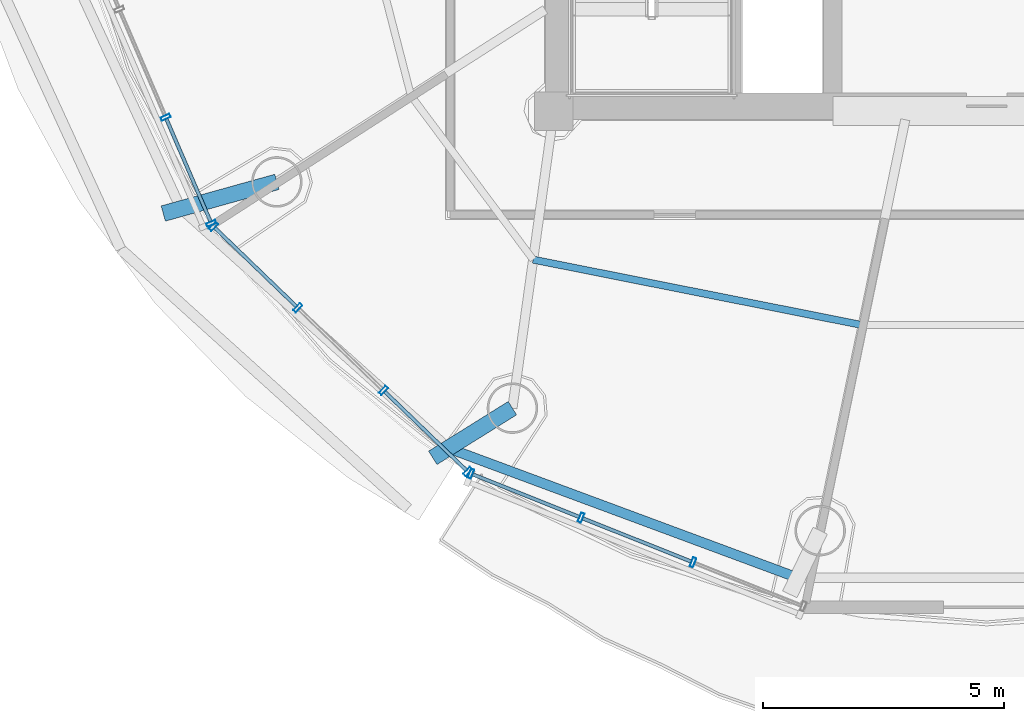
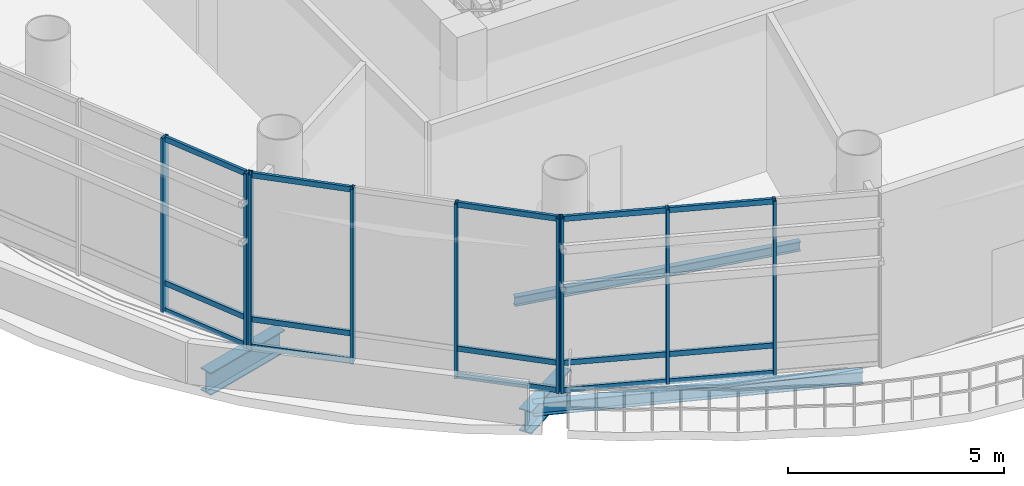
# One storey, part 2 of 22: 24 members, 4 beams, 3 elements without a shape of their own.
"""IFC4 building model written with IfcOpenShell, lengths in metres."""

from ifc_helpers import new_model, si_unit, direction, frame, origin, origin_2d, place, context, subcontext, project, spatial, hollow_rectangle, i_section, extrude, source, transform, mapped, material, material_profile, profile_set, type_object, element, aggregate, save


model = new_model("IFC4")

# Units and contexts
model_context = context("Model", 3, precision=1e-05, world=origin(), true_north=direction((-0.2419218956, 0.970295726276)))
body_context = subcontext(model_context, "Body", "Model", "MODEL_VIEW")
ifc_project = project(units=[si_unit("LENGTHUNIT", "METRE"), si_unit("AREAUNIT", "SQUARE_METRE"), si_unit("VOLUMEUNIT", "CUBIC_METRE"), si_unit("PLANEANGLEUNIT", "RADIAN"), si_unit("MASSUNIT", "GRAM", prefix="KILO")], contexts=[model_context])

# Site, building, storey
site_placement = place(None, origin())
site = spatial("IfcSite", under=ifc_project, at=site_placement, CompositionType="ELEMENT")
building_placement = place(site_placement, origin())
building = spatial("IfcBuilding", under=site, at=building_placement, Name="Cobrevalo Terracotta Tower", CompositionType="ELEMENT")
storey_placement = place(building_placement, frame((0.0, 0.0, 243.0)))
storey = spatial("IfcBuildingStorey", under=building, at=storey_placement, Name="L64", CompositionType="ELEMENT", Elevation=243.0)

# Beams
ifc_material_1 = material(Name="Steel S355", Category="steel")
ifc_material_profile_1 = material_profile(ifc_material_1, i_section(OverallWidth=0.3291015625, OverallDepth=0.635009765625, WebThickness=0.017822265625, FlangeThickness=0.031005859375, at=origin_2d()), Name="W 610x241")
ifc_profile_set_1 = profile_set([ifc_material_profile_1], Name="Steel S355")
beam_type_1 = type_object("IfcBeamType", Name="Structural Beam W 610x241 (Steel S355)", PredefinedType="BEAM", material=ifc_profile_set_1)
beam_1_placement = place(storey_placement, frame((20.8798828125, 16.669921875, -0.767578125), z_axis=(0.963336485916, 0.26829613285, 0.0), x_axis=(-0.26829613285, 0.963336485916, 0.0)))
element("IfcBeam", 1, at=beam_1_placement, inside=storey, type_object=beam_type_1, Name="L64 setback step-link girder 10", PredefinedType="BEAM", context=body_context, shape_type="SweptSolid", body=[
    extrude(i_section(OverallWidth=0.3291015625, OverallDepth=0.635009765625, WebThickness=0.017822265625, FlangeThickness=0.031005859375, at=origin_2d()), origin(), (0.0, 0.0, 1.0), 2.451416015625),
])
beam_2_placement = place(storey_placement, frame((26.48291015625, 11.5908203125, -0.767578125), z_axis=(0.848489940714, 0.52921150829, 0.0), x_axis=(-0.52921150829, 0.848489940714, 0.0)))
element("IfcBeam", 2, at=beam_2_placement, inside=storey, type_object=beam_type_1, Name="L64 setback step-link girder 11", PredefinedType="BEAM", context=body_context, shape_type="SweptSolid", body=[
    extrude(i_section(OverallWidth=0.3291015625, OverallDepth=0.635009765625, WebThickness=0.017822265625, FlangeThickness=0.031005859375, at=origin_2d()), origin(), (0.0, 0.0, 1.0), 1.951416015625),
])
ifc_material_profile_2 = material_profile(ifc_material_1, i_section(OverallWidth=0.14794921875, OverallDepth=0.26611328125, WebThickness=0.007568359375, FlangeThickness=0.012939453125, at=origin_2d()), Name="W 250x44.8")
ifc_profile_set_2 = profile_set([ifc_material_profile_2], Name="Steel S355")
beam_type_2 = type_object("IfcBeamType", Name="Structural Joist W 250x44.8 (Steel S355)", PredefinedType="JOIST", material=ifc_profile_set_2)
beam_3_placement = place(storey_placement, frame((28.5693359375, 15.711669921875, -0.5830078125), z_axis=(0.980791119938, -0.195060962393, 0.0), x_axis=(0.195060962393, 0.980791119938, 0.0)))
element("IfcBeam", 3, at=beam_3_placement, inside=storey, type_object=beam_type_2, Name="L64 circumferential secondary floor joist 11", PredefinedType="JOIST", context=body_context, shape_type="SweptSolid", body=[
    extrude(i_section(OverallWidth=0.14794921875, OverallDepth=0.26611328125, WebThickness=0.007568359375, FlangeThickness=0.012939453125, at=origin_2d()), origin(), (0.0, 0.0, 1.0), 6.986572265625),
])
ifc_material_profile_3 = material_profile(ifc_material_1, i_section(OverallWidth=0.205078125, OverallDepth=0.35400390625, WebThickness=0.009521484375, FlangeThickness=0.016845703125, at=origin_2d()), Name="W 360x79")
ifc_profile_set_3 = profile_set([ifc_material_profile_3], Name="Steel S355")
beam_type_3 = type_object("IfcBeamType", Name="Structural Spandrel W 360x79 (Steel S355)", PredefinedType="SPANDREL", material=ifc_profile_set_3)
beam_4_placement = place(storey_placement, frame((26.80517578125, 11.7919921875, -0.626953125), z_axis=(0.937545996665, -0.347861328892, 0.0), x_axis=(0.347861328892, 0.937545996665, 0.0)))
element("IfcBeam", 4, at=beam_4_placement, inside=storey, type_object=beam_type_3, Name="L64 perimeter ring spandrel 11", PredefinedType="SPANDREL", context=body_context, shape_type="SweptSolid", body=[
    extrude(i_section(OverallWidth=0.205078125, OverallDepth=0.35400390625, WebThickness=0.009521484375, FlangeThickness=0.016845703125, at=origin_2d()), origin(), (0.0, 0.0, 1.0), 7.74755859375),
])

# Curtain wall, members
ifc_material_2 = material(Name="Anodized aluminium", Category="aluminium")
curtain_wall_type = type_object("IfcCurtainWallType", Name="Double-height sky-lobby panoramic curtain wall CW-SK", PredefinedType="NOTDEFINED", material=ifc_material_2)
curtain_wall_1_placement = place(storey_placement, origin())
curtain_wall_1 = element("IfcCurtainWall", 5, at=curtain_wall_1_placement, inside=storey, type_object=curtain_wall_type, Name="L64 curtain wall CW-SK-L64-S09", PredefinedType="NOTDEFINED")
ifc_material_profile_4 = material_profile(ifc_material_2, hollow_rectangle(XDim=0.074951171875, YDim=0.199951171875, WallThickness=0.0048828125, at=origin_2d()), Name="CWM 75x200")
ifc_profile_set_4 = profile_set([ifc_material_profile_4], Name="Anodized aluminium")
member_type_1 = type_object("IfcMemberType", Name="Lower/mid tower unitised mullion 75x200", PredefinedType="MULLION", material=ifc_profile_set_4)
shared_shape_1 = source(origin(), body_context, "Body", "SweptSolid", [
    extrude(hollow_rectangle(XDim=0.074951171875, YDim=0.199951171875, WallThickness=0.0048828125, at=origin_2d()), origin(), (0.0, 0.0, 1.0), 4.93994140625),
])
member_1_placement = place(storey_placement, frame((20.930419921875, 18.6708984375, 0.0), z_axis=(0.0, 0.0, 1.0), x_axis=(0.39482403454, -0.91875675875, 0.0)))
member_1 = element("IfcMember", 6, at=member_1_placement, type_object=member_type_1, Name="CW-SK-L64-S09 vertical mullion 03", PredefinedType="MULLION", context=body_context, shape_type="MappedRepresentation", body=[
    mapped(shared_shape_1, transform((0.0, 0.0, 0.0), scale=1.0)),
])
member_2_placement = place(storey_placement, frame((21.878662109375, 16.46435546875, 0.0), z_axis=(0.0, 0.0, 1.0), x_axis=(0.39482403454, -0.91875675875, 0.0)))
member_2 = element("IfcMember", 7, at=member_2_placement, type_object=member_type_1, Name="CW-SK-L64-S09 vertical mullion 04", PredefinedType="MULLION", context=body_context, shape_type="MappedRepresentation", body=[
    mapped(shared_shape_1, transform((0.0, 0.0, 0.0), scale=1.0)),
])

curtain_wall_2_placement = place(storey_placement, origin())
curtain_wall_2 = element("IfcCurtainWall", 8, at=curtain_wall_2_placement, inside=storey, type_object=curtain_wall_type, Name="L64 curtain wall CW-SK-L64-S10", PredefinedType="NOTDEFINED")
member_3_placement = place(storey_placement, frame((21.92333984375, 16.399658203125, 0.0), z_axis=(0.0, 0.0, 1.0), x_axis=(0.71999418085, -0.69398010025, 0.0)))
member_3 = element("IfcMember", 9, at=member_3_placement, type_object=member_type_1, Name="CW-SK-L64-S10 vertical mullion 01", PredefinedType="MULLION", context=body_context, shape_type="MappedRepresentation", body=[
    mapped(shared_shape_1, transform((0.0, 0.0, 0.0), scale=1.0)),
])
member_4_placement = place(storey_placement, frame((23.67578125, 14.71044921875, 0.0), z_axis=(0.0, 0.0, 1.0), x_axis=(0.71999418085, -0.69398010025, 0.0)))
member_4 = element("IfcMember", 10, at=member_4_placement, type_object=member_type_1, Name="CW-SK-L64-S10 vertical mullion 02", PredefinedType="MULLION", context=body_context, shape_type="MappedRepresentation", body=[
    mapped(shared_shape_1, transform((0.0, 0.0, 0.0), scale=1.0)),
])
member_5_placement = place(storey_placement, frame((25.457275390625, 12.993408203125, 0.0), z_axis=(0.0, 0.0, 1.0), x_axis=(0.71999418085, -0.69398010025, 0.0)))
member_5 = element("IfcMember", 11, at=member_5_placement, type_object=member_type_1, Name="CW-SK-L64-S10 vertical mullion 03", PredefinedType="MULLION", context=body_context, shape_type="MappedRepresentation", body=[
    mapped(shared_shape_1, transform((0.0, 0.0, 0.0), scale=1.0)),
])
member_6_placement = place(storey_placement, frame((27.209716796875, 11.30419921875, 0.0), z_axis=(0.0, 0.0, 1.0), x_axis=(0.71999418085, -0.69398010025, 0.0)))
member_6 = element("IfcMember", 12, at=member_6_placement, type_object=member_type_1, Name="CW-SK-L64-S10 vertical mullion 04", PredefinedType="MULLION", context=body_context, shape_type="MappedRepresentation", body=[
    mapped(shared_shape_1, transform((0.0, 0.0, 0.0), scale=1.0)),
])

curtain_wall_3_placement = place(storey_placement, origin())
curtain_wall_3 = element("IfcCurtainWall", 13, at=curtain_wall_3_placement, inside=storey, type_object=curtain_wall_type, Name="L64 curtain wall CW-SK-L64-S11", PredefinedType="NOTDEFINED")
member_7_placement = place(storey_placement, frame((27.275634765625, 11.26171875, 0.0), z_axis=(0.0, 0.0, 1.0), x_axis=(0.928718980883, -0.370784377433, 0.0)))
member_7 = element("IfcMember", 14, at=member_7_placement, type_object=member_type_1, Name="CW-SK-L64-S11 vertical mullion 01", PredefinedType="MULLION", context=body_context, shape_type="MappedRepresentation", body=[
    mapped(shared_shape_1, transform((0.0, 0.0, 0.0), scale=1.0)),
])
member_8_placement = place(storey_placement, frame((29.566162109375, 10.34716796875, 0.0), z_axis=(0.0, 0.0, 1.0), x_axis=(0.928718980883, -0.370784377433, 0.0)))
member_8 = element("IfcMember", 15, at=member_8_placement, type_object=member_type_1, Name="CW-SK-L64-S11 vertical mullion 02", PredefinedType="MULLION", context=body_context, shape_type="MappedRepresentation", body=[
    mapped(shared_shape_1, transform((0.0, 0.0, 0.0), scale=1.0)),
])
member_9_placement = place(storey_placement, frame((31.8935546875, 9.41796875, 0.0), z_axis=(0.0, 0.0, 1.0), x_axis=(0.928718980883, -0.370784377433, 0.0)))
member_9 = element("IfcMember", 16, at=member_9_placement, type_object=member_type_1, Name="CW-SK-L64-S11 vertical mullion 03", PredefinedType="MULLION", context=body_context, shape_type="MappedRepresentation", body=[
    mapped(shared_shape_1, transform((0.0, 0.0, 0.0), scale=1.0)),
])

# Member
ifc_material_profile_5 = material_profile(ifc_material_2, hollow_rectangle(XDim=0.074951171875, YDim=0.14990234375, WallThickness=0.00439453125, at=origin_2d()), Name="CWT 75x150")
ifc_profile_set_5 = profile_set([ifc_material_profile_5], Name="Anodized aluminium")
member_type_2 = type_object("IfcMemberType", Name="Tower unitised aluminium transom 75x150", PredefinedType="USERDEFINED", material=ifc_profile_set_5)
shared_shape_2 = source(origin(), body_context, "Body", "SweptSolid", [
    extrude(hollow_rectangle(XDim=0.074951171875, YDim=0.14990234375, WallThickness=0.00439453125, at=origin_2d()), origin(), (0.0, 0.0, 1.0), 2.32177734375),
])
member_10_placement = place(storey_placement, frame((20.946044921875, 18.634033203125, 0.050048828125), z_axis=(0.394858238772, -0.918742059162, 0.0), x_axis=(0.918742059162, 0.394858238772, 0.0)))
member_10 = element("IfcMember", 17, at=member_10_placement, type_object=member_type_2, Name="CW-SK-L64-S09 transom B03-T1", ObjectType="TRANSOM", PredefinedType="USERDEFINED", context=body_context, shape_type="MappedRepresentation", body=[
    mapped(shared_shape_2, transform((0.0, 0.0, 0.0), scale=1.0)),
])

member_11_placement = place(storey_placement, frame((20.946044921875, 18.634033203125, 0.820068359375), z_axis=(0.394858238772, -0.918742059162, 0.0), x_axis=(0.918742059162, 0.394858238772, 0.0)))
member_11 = element("IfcMember", 18, at=member_11_placement, type_object=member_type_2, Name="CW-SK-L64-S09 transom B03-T2", ObjectType="TRANSOM", PredefinedType="USERDEFINED", context=body_context, shape_type="MappedRepresentation", body=[
    mapped(shared_shape_2, transform((0.0, 0.0, 0.0), scale=1.0)),
])

member_12_placement = place(storey_placement, frame((20.946044921875, 18.634033203125, 4.889892578125), z_axis=(0.394858238772, -0.918742059162, 0.0), x_axis=(0.918742059162, 0.394858238772, 0.0)))
member_12 = element("IfcMember", 19, at=member_12_placement, type_object=member_type_2, Name="CW-SK-L64-S09 transom B03-T3", ObjectType="TRANSOM", PredefinedType="USERDEFINED", context=body_context, shape_type="MappedRepresentation", body=[
    mapped(shared_shape_2, transform((0.0, 0.0, 0.0), scale=1.0)),
])

aggregate(curtain_wall_1, [member_1, member_2, member_10, member_11, member_12])

shared_shape_3 = source(origin(), body_context, "Body", "SweptSolid", [
    extrude(hollow_rectangle(XDim=0.074951171875, YDim=0.14990234375, WallThickness=0.00439453125, at=origin_2d()), origin(), (0.0, 0.0, 1.0), 2.35400390625),
])
member_13_placement = place(storey_placement, frame((21.9521484375, 16.3720703125, 0.050048828125), z_axis=(0.719951629272, -0.694024244179, 0.0), x_axis=(0.694024244179, 0.719951629272, 0.0)))
member_13 = element("IfcMember", 20, at=member_13_placement, type_object=member_type_2, Name="CW-SK-L64-S10 transom B01-T1", ObjectType="TRANSOM", PredefinedType="USERDEFINED", context=body_context, shape_type="MappedRepresentation", body=[
    mapped(shared_shape_3, transform((0.0, 0.0, 0.0), scale=1.0)),
])

member_14_placement = place(storey_placement, frame((21.9521484375, 16.3720703125, 0.820068359375), z_axis=(0.719951629272, -0.694024244179, 0.0), x_axis=(0.694024244179, 0.719951629272, 0.0)))
member_14 = element("IfcMember", 21, at=member_14_placement, type_object=member_type_2, Name="CW-SK-L64-S10 transom B01-T2", ObjectType="TRANSOM", PredefinedType="USERDEFINED", context=body_context, shape_type="MappedRepresentation", body=[
    mapped(shared_shape_3, transform((0.0, 0.0, 0.0), scale=1.0)),
])

member_15_placement = place(storey_placement, frame((21.9521484375, 16.3720703125, 4.889892578125), z_axis=(0.719951629272, -0.694024244179, 0.0), x_axis=(0.694024244179, 0.719951629272, 0.0)))
member_15 = element("IfcMember", 22, at=member_15_placement, type_object=member_type_2, Name="CW-SK-L64-S10 transom B01-T3", ObjectType="TRANSOM", PredefinedType="USERDEFINED", context=body_context, shape_type="MappedRepresentation", body=[
    mapped(shared_shape_3, transform((0.0, 0.0, 0.0), scale=1.0)),
])

member_16_placement = place(storey_placement, frame((25.486083984375, 12.9658203125, 0.050048828125), z_axis=(0.719951629272, -0.694024244179, 0.0), x_axis=(0.694024244179, 0.719951629272, 0.0)))
member_16 = element("IfcMember", 23, at=member_16_placement, type_object=member_type_2, Name="CW-SK-L64-S10 transom B03-T1", ObjectType="TRANSOM", PredefinedType="USERDEFINED", context=body_context, shape_type="MappedRepresentation", body=[
    mapped(shared_shape_3, transform((0.0, 0.0, 0.0), scale=1.0)),
])

member_17_placement = place(storey_placement, frame((25.486083984375, 12.9658203125, 0.820068359375), z_axis=(0.719951629272, -0.694024244179, 0.0), x_axis=(0.694024244179, 0.719951629272, 0.0)))
member_17 = element("IfcMember", 24, at=member_17_placement, type_object=member_type_2, Name="CW-SK-L64-S10 transom B03-T2", ObjectType="TRANSOM", PredefinedType="USERDEFINED", context=body_context, shape_type="MappedRepresentation", body=[
    mapped(shared_shape_3, transform((0.0, 0.0, 0.0), scale=1.0)),
])

member_18_placement = place(storey_placement, frame((25.486083984375, 12.9658203125, 4.889892578125), z_axis=(0.719951629272, -0.694024244179, 0.0), x_axis=(0.694024244179, 0.719951629272, 0.0)))
member_18 = element("IfcMember", 25, at=member_18_placement, type_object=member_type_2, Name="CW-SK-L64-S10 transom B03-T3", ObjectType="TRANSOM", PredefinedType="USERDEFINED", context=body_context, shape_type="MappedRepresentation", body=[
    mapped(shared_shape_3, transform((0.0, 0.0, 0.0), scale=1.0)),
])

aggregate(curtain_wall_2, [member_3, member_4, member_5, member_6, member_13, member_14, member_15, member_16, member_17, member_18])

shared_shape_4 = source(origin(), body_context, "Body", "SweptSolid", [
    extrude(hollow_rectangle(XDim=0.074951171875, YDim=0.14990234375, WallThickness=0.00439453125, at=origin_2d()), origin(), (0.0, 0.0, 1.0), 2.38623046875),
])
member_19_placement = place(storey_placement, frame((27.31298828125, 11.246826171875, 0.050048828125), z_axis=(0.928716409011, -0.370790819242, 0.0), x_axis=(0.370790819242, 0.928716409011, 0.0)))
member_19 = element("IfcMember", 26, at=member_19_placement, type_object=member_type_2, Name="CW-SK-L64-S11 transom B01-T1", ObjectType="TRANSOM", PredefinedType="USERDEFINED", context=body_context, shape_type="MappedRepresentation", body=[
    mapped(shared_shape_4, transform((0.0, 0.0, 0.0), scale=1.0)),
])

member_20_placement = place(storey_placement, frame((27.31298828125, 11.246826171875, 0.820068359375), z_axis=(0.928716409011, -0.370790819242, 0.0), x_axis=(0.370790819242, 0.928716409011, 0.0)))
member_20 = element("IfcMember", 27, at=member_20_placement, type_object=member_type_2, Name="CW-SK-L64-S11 transom B01-T2", ObjectType="TRANSOM", PredefinedType="USERDEFINED", context=body_context, shape_type="MappedRepresentation", body=[
    mapped(shared_shape_4, transform((0.0, 0.0, 0.0), scale=1.0)),
])

member_21_placement = place(storey_placement, frame((27.31298828125, 11.246826171875, 4.889892578125), z_axis=(0.928716409011, -0.370790819242, 0.0), x_axis=(0.370790819242, 0.928716409011, 0.0)))
member_21 = element("IfcMember", 28, at=member_21_placement, type_object=member_type_2, Name="CW-SK-L64-S11 transom B01-T3", ObjectType="TRANSOM", PredefinedType="USERDEFINED", context=body_context, shape_type="MappedRepresentation", body=[
    mapped(shared_shape_4, transform((0.0, 0.0, 0.0), scale=1.0)),
])

shared_shape_5 = source(origin(), body_context, "Body", "SweptSolid", [
    extrude(hollow_rectangle(XDim=0.074951171875, YDim=0.14990234375, WallThickness=0.00439453125, at=origin_2d()), origin(), (0.0, 0.0, 1.0), 2.426025390625),
])
member_22_placement = place(storey_placement, frame((29.603271484375, 10.332275390625, 0.050048828125), z_axis=(0.92874018415, -0.37073126432, 0.0), x_axis=(0.37073126432, 0.92874018415, 0.0)))
member_22 = element("IfcMember", 29, at=member_22_placement, type_object=member_type_2, Name="CW-SK-L64-S11 transom B02-T1", ObjectType="TRANSOM", PredefinedType="USERDEFINED", context=body_context, shape_type="MappedRepresentation", body=[
    mapped(shared_shape_5, transform((0.0, 0.0, 0.0), scale=1.0)),
])

member_23_placement = place(storey_placement, frame((29.603271484375, 10.332275390625, 0.820068359375), z_axis=(0.92874018415, -0.37073126432, 0.0), x_axis=(0.37073126432, 0.92874018415, 0.0)))
member_23 = element("IfcMember", 30, at=member_23_placement, type_object=member_type_2, Name="CW-SK-L64-S11 transom B02-T2", ObjectType="TRANSOM", PredefinedType="USERDEFINED", context=body_context, shape_type="MappedRepresentation", body=[
    mapped(shared_shape_5, transform((0.0, 0.0, 0.0), scale=1.0)),
])

member_24_placement = place(storey_placement, frame((29.603271484375, 10.332275390625, 4.889892578125), z_axis=(0.92874018415, -0.37073126432, 0.0), x_axis=(0.37073126432, 0.92874018415, 0.0)))
member_24 = element("IfcMember", 31, at=member_24_placement, type_object=member_type_2, Name="CW-SK-L64-S11 transom B02-T3", ObjectType="TRANSOM", PredefinedType="USERDEFINED", context=body_context, shape_type="MappedRepresentation", body=[
    mapped(shared_shape_5, transform((0.0, 0.0, 0.0), scale=1.0)),
])

aggregate(curtain_wall_3, [member_7, member_8, member_9, member_19, member_20, member_21, member_22, member_23, member_24])

save(model, "model.ifc")
